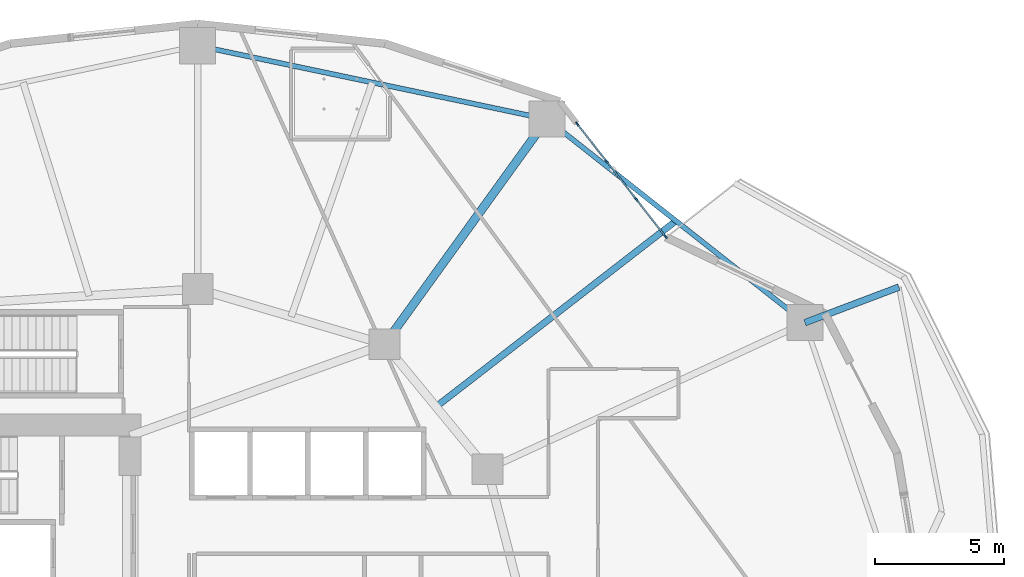
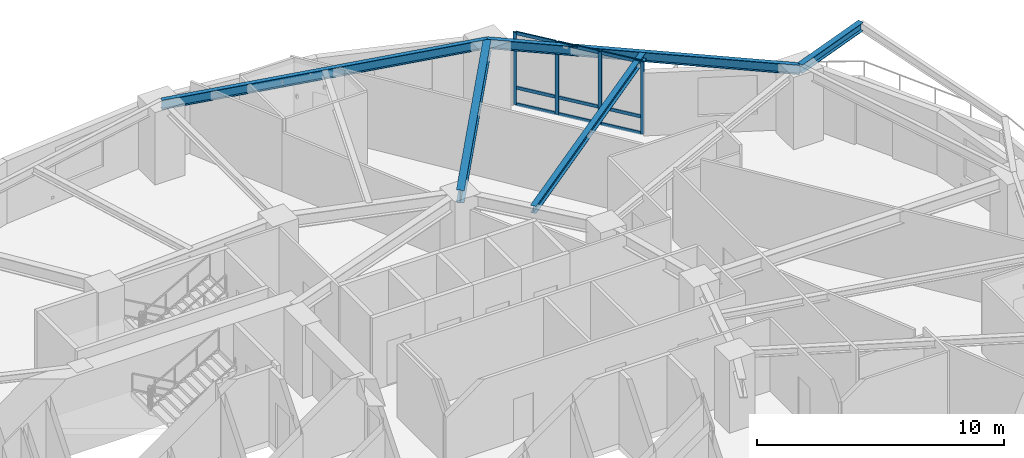
# One storey, part 3 of 18: 13 members, 5 beams, 1 element without a shape of its own.
"""IFC4 building model written with IfcOpenShell, lengths in metres."""

from ifc_helpers import new_model, si_unit, direction, frame, origin, origin_2d, place, context, subcontext, project, spatial, rectangle, i_section, extrude, material, layer, layer_set, material_profile, profile_set, type_object, element, aggregate, save


model = new_model("IFC4")

# Units and contexts
model_context = context("Model", 3, precision=1e-05, world=origin(), true_north=direction((0.0, 1.0)))
body_context = subcontext(model_context, "Body", "Model", "MODEL_VIEW")
ifc_project = project(units=[si_unit("LENGTHUNIT", "METRE"), si_unit("AREAUNIT", "SQUARE_METRE"), si_unit("VOLUMEUNIT", "CUBIC_METRE"), si_unit("PLANEANGLEUNIT", "RADIAN"), si_unit("MASSUNIT", "GRAM", prefix="KILO")], contexts=[model_context])

# Site, building, storey
site_placement = place(None, origin())
site = spatial("IfcSite", under=ifc_project, at=site_placement, CompositionType="ELEMENT")
building_placement = place(site_placement, origin())
building = spatial("IfcBuilding", under=site, at=building_placement, Name="Kolvaren Gate Tower and Convention Centre", CompositionType="ELEMENT")
storey_placement = place(building_placement, frame((0.0, 0.0, 30.35009765625)))
storey = spatial("IfcBuildingStorey", under=building, at=storey_placement, Name="L06", CompositionType="ELEMENT", Elevation=30.35009765625)

# Curtain wall, members
ifc_material_1 = material(Name="Anodized Architectural Aluminium Alloy 6063-T6", Category="aluminium")
ifc_layer = layer(ifc_material_1, 0.159912109375)
ifc_layer_set = layer_set([ifc_layer], Name="Anodized Architectural Aluminium Alloy 6063-T6")
curtain_wall_type = type_object("IfcCurtainWallType", Name="CW-OFF-UNIT", PredefinedType="NOTDEFINED", material=ifc_layer_set)
curtain_wall_placement = place(storey_placement, origin())
curtain_wall = element("IfcCurtainWall", 1, at=curtain_wall_placement, inside=storey, type_object=curtain_wall_type, Name="Tower L06 Unitised Curtain Wall CW-OFF-UNIT Bay 03", PredefinedType="NOTDEFINED")
ifc_material_profile_1 = material_profile(ifc_material_1, rectangle(XDim=0.06494140625, YDim=0.159912109375, at=origin_2d()), Name="CW-MEM-MUL-160")
ifc_profile_set_1 = profile_set([ifc_material_profile_1], Name="Anodized Architectural Aluminium Alloy 6063-T6")
member_type_1 = type_object("IfcMemberType", Name="CW-MEM-MUL-160", PredefinedType="MULLION", material=ifc_profile_set_1)
member_1_placement = place(storey_placement, frame((44.870849609375, 45.61279296875, 0.0), z_axis=(0.0, 0.0, 1.0), x_axis=(0.787413004527, 0.616425794643, 0.0)))
member_1 = element("IfcMember", 2, at=member_1_placement, type_object=member_type_1, Name="CW-02 mullion 1", PredefinedType="MULLION", context=body_context, shape_type="SweptSolid", body=[
    extrude(rectangle(XDim=0.06494140625, YDim=0.159912109375, at=origin_2d()), origin(), (0.0, 0.0, 1.0), 3.56982421875),
])
member_2_placement = place(storey_placement, frame((46.005615234375, 44.1630859375, 0.0), z_axis=(0.0, 0.0, 1.0), x_axis=(0.787413004527, 0.616425794643, 0.0)))
member_2 = element("IfcMember", 3, at=member_2_placement, type_object=member_type_1, Name="CW-02 mullion 2", PredefinedType="MULLION", context=body_context, shape_type="SweptSolid", body=[
    extrude(rectangle(XDim=0.06494140625, YDim=0.159912109375, at=origin_2d()), origin(), (0.0, 0.0, 1.0), 3.56982421875),
])
member_3_placement = place(storey_placement, frame((47.160400390625, 42.68798828125, 0.0), z_axis=(0.0, 0.0, 1.0), x_axis=(0.787413004527, 0.616425794643, 0.0)))
member_3 = element("IfcMember", 4, at=member_3_placement, type_object=member_type_1, Name="CW-02 mullion 3", PredefinedType="MULLION", context=body_context, shape_type="SweptSolid", body=[
    extrude(rectangle(XDim=0.06494140625, YDim=0.159912109375, at=origin_2d()), origin(), (0.0, 0.0, 1.0), 3.56982421875),
])
member_4_placement = place(storey_placement, frame((48.295166015625, 41.23828125, 0.0), z_axis=(0.0, 0.0, 1.0), x_axis=(0.787413004527, 0.616425794643, 0.0)))
member_4 = element("IfcMember", 5, at=member_4_placement, type_object=member_type_1, Name="CW-02 mullion 4", PredefinedType="MULLION", context=body_context, shape_type="SweptSolid", body=[
    extrude(rectangle(XDim=0.06494140625, YDim=0.159912109375, at=origin_2d()), origin(), (0.0, 0.0, 1.0), 3.56982421875),
])
ifc_material_profile_2 = material_profile(ifc_material_1, rectangle(XDim=0.06494140625, YDim=0.159912109375, at=origin_2d()), Name="CW-MEM-TRN-160")
ifc_profile_set_2 = profile_set([ifc_material_profile_2], Name="Anodized Architectural Aluminium Alloy 6063-T6")
member_type_2 = type_object("IfcMemberType", Name="CW-MEM-TRN-160", PredefinedType="USERDEFINED", material=ifc_profile_set_2)
member_5_placement = place(storey_placement, frame((44.890869140625, 45.587158203125, 0.032470703125), z_axis=(0.61641204316, -0.787423769674, 0.0), x_axis=(0.787423769674, 0.61641204316, 0.0)))
member_5 = element("IfcMember", 6, at=member_5_placement, type_object=member_type_2, Name="CW-02 transom 1.1", ObjectType="TRANSOM", PredefinedType="USERDEFINED", context=body_context, shape_type="SweptSolid", body=[
    extrude(rectangle(XDim=0.06494140625, YDim=0.159912109375, at=origin_2d()), origin(), (0.0, 0.0, 1.0), 1.77587890625),
])
member_6_placement = place(storey_placement, frame((44.890869140625, 45.587158203125, 0.849853515625), z_axis=(0.61641204316, -0.787423769674, 0.0), x_axis=(0.787423769674, 0.61641204316, 0.0)))
member_6 = element("IfcMember", 7, at=member_6_placement, type_object=member_type_2, Name="CW-02 transom 1.2", ObjectType="TRANSOM", PredefinedType="USERDEFINED", context=body_context, shape_type="SweptSolid", body=[
    extrude(rectangle(XDim=0.06494140625, YDim=0.159912109375, at=origin_2d()), origin(), (0.0, 0.0, 1.0), 1.77587890625),
])
member_7_placement = place(storey_placement, frame((44.890869140625, 45.587158203125, 3.537353515625), z_axis=(0.61641204316, -0.787423769674, 0.0), x_axis=(0.787423769674, 0.61641204316, 0.0)))
member_7 = element("IfcMember", 8, at=member_7_placement, type_object=member_type_2, Name="CW-02 transom 1.3", ObjectType="TRANSOM", PredefinedType="USERDEFINED", context=body_context, shape_type="SweptSolid", body=[
    extrude(rectangle(XDim=0.06494140625, YDim=0.159912109375, at=origin_2d()), origin(), (0.0, 0.0, 1.0), 1.77587890625),
])
member_8_placement = place(storey_placement, frame((46.025634765625, 44.137451171875, 0.032470703125), z_axis=(0.616461146667, -0.787385327937, 0.0), x_axis=(0.787385327937, 0.616461146667, 0.0)))
member_8 = element("IfcMember", 9, at=member_8_placement, type_object=member_type_2, Name="CW-02 transom 2.1", ObjectType="TRANSOM", PredefinedType="USERDEFINED", context=body_context, shape_type="SweptSolid", body=[
    extrude(rectangle(XDim=0.06494140625, YDim=0.159912109375, at=origin_2d()), origin(), (0.0, 0.0, 1.0), 1.808349609375),
])
member_9_placement = place(storey_placement, frame((46.025634765625, 44.137451171875, 0.849853515625), z_axis=(0.616461146667, -0.787385327937, 0.0), x_axis=(0.787385327937, 0.616461146667, 0.0)))
member_9 = element("IfcMember", 10, at=member_9_placement, type_object=member_type_2, Name="CW-02 transom 2.2", ObjectType="TRANSOM", PredefinedType="USERDEFINED", context=body_context, shape_type="SweptSolid", body=[
    extrude(rectangle(XDim=0.06494140625, YDim=0.159912109375, at=origin_2d()), origin(), (0.0, 0.0, 1.0), 1.808349609375),
])
member_10_placement = place(storey_placement, frame((46.025634765625, 44.137451171875, 3.537353515625), z_axis=(0.616461146667, -0.787385327937, 0.0), x_axis=(0.787385327937, 0.616461146667, 0.0)))
member_10 = element("IfcMember", 11, at=member_10_placement, type_object=member_type_2, Name="CW-02 transom 2.3", ObjectType="TRANSOM", PredefinedType="USERDEFINED", context=body_context, shape_type="SweptSolid", body=[
    extrude(rectangle(XDim=0.06494140625, YDim=0.159912109375, at=origin_2d()), origin(), (0.0, 0.0, 1.0), 1.808349609375),
])
member_11_placement = place(storey_placement, frame((47.180419921875, 42.662353515625, 0.032470703125), z_axis=(0.61641204316, -0.787423769674, 0.0), x_axis=(0.787423769674, 0.61641204316, 0.0)))
member_11 = element("IfcMember", 12, at=member_11_placement, type_object=member_type_2, Name="CW-02 transom 3.1", ObjectType="TRANSOM", PredefinedType="USERDEFINED", context=body_context, shape_type="SweptSolid", body=[
    extrude(rectangle(XDim=0.06494140625, YDim=0.159912109375, at=origin_2d()), origin(), (0.0, 0.0, 1.0), 1.77587890625),
])
member_12_placement = place(storey_placement, frame((47.180419921875, 42.662353515625, 0.849853515625), z_axis=(0.61641204316, -0.787423769674, 0.0), x_axis=(0.787423769674, 0.61641204316, 0.0)))
member_12 = element("IfcMember", 13, at=member_12_placement, type_object=member_type_2, Name="CW-02 transom 3.2", ObjectType="TRANSOM", PredefinedType="USERDEFINED", context=body_context, shape_type="SweptSolid", body=[
    extrude(rectangle(XDim=0.06494140625, YDim=0.159912109375, at=origin_2d()), origin(), (0.0, 0.0, 1.0), 1.77587890625),
])
member_13_placement = place(storey_placement, frame((47.180419921875, 42.662353515625, 3.537353515625), z_axis=(0.61641204316, -0.787423769674, 0.0), x_axis=(0.787423769674, 0.61641204316, 0.0)))
member_13 = element("IfcMember", 14, at=member_13_placement, type_object=member_type_2, Name="CW-02 transom 3.3", ObjectType="TRANSOM", PredefinedType="USERDEFINED", context=body_context, shape_type="SweptSolid", body=[
    extrude(rectangle(XDim=0.06494140625, YDim=0.159912109375, at=origin_2d()), origin(), (0.0, 0.0, 1.0), 1.77587890625),
])
aggregate(curtain_wall, [member_1, member_2, member_3, member_4, member_5, member_6, member_7, member_8, member_9, member_10, member_11, member_12, member_13])

# Beams
ifc_material_2 = material(Name="Structural steel ASTM A992 Grade 345 MPa", Category="steel")
ifc_material_profile_3 = material_profile(ifc_material_2, i_section(OverallWidth=0.260009765625, OverallDepth=0.419921875, WebThickness=0.013427734375, FlangeThickness=0.0224609375, at=origin_2d()), Name="W410X132")
ifc_profile_set_3 = profile_set([ifc_material_profile_3], Name="Structural steel ASTM A992 Grade 345 MPa")
beam_type_1 = type_object("IfcBeamType", Name="STR-BM-W410X132", PredefinedType="BEAM", material=ifc_profile_set_3)
beam_1_placement = place(storey_placement, frame((53.710205078125, 37.8935546875, 3.3603515625), z_axis=(0.935293537157, 0.35387285761, 0.0), x_axis=(-0.35387285761, 0.935293537157, 0.0)))
element("IfcBeam", 15, at=beam_1_placement, inside=storey, type_object=beam_type_1, Name="Tower L07 Planted Balcony Outrigger Cantilever BC-1B", PredefinedType="BEAM", context=body_context, shape_type="SweptSolid", body=[
    extrude(i_section(OverallWidth=0.260009765625, OverallDepth=0.419921875, WebThickness=0.013427734375, FlangeThickness=0.0224609375, at=origin_2d()), origin(), (0.0, 0.0, 1.0), 3.900146484375),
])
ifc_material_profile_4 = material_profile(ifc_material_2, i_section(OverallWidth=0.327880859375, OverallDepth=0.6279296875, WebThickness=0.0166015625, FlangeThickness=0.027587890625, at=origin_2d()), Name="W610X217")
ifc_profile_set_4 = profile_set([ifc_material_profile_4], Name="Structural steel ASTM A992 Grade 345 MPa")
beam_type_2 = type_object("IfcBeamType", Name="STR-BM-W610X217", PredefinedType="BEAM", material=ifc_profile_set_4)
beam_2_placement = place(storey_placement, frame((37.381591796875, 37.054931640625, 3.255859375), z_axis=(0.585205244783, 0.81088520857, 0.0), x_axis=(-0.81088520857, 0.585205244783, 0.0)))
element("IfcBeam", 16, at=beam_2_placement, inside=storey, type_object=beam_type_2, Name="Tower L06 Radial Floor Girder RB-03", PredefinedType="BEAM", context=body_context, shape_type="SweptSolid", body=[
    extrude(i_section(OverallWidth=0.327880859375, OverallDepth=0.6279296875, WebThickness=0.0166015625, FlangeThickness=0.027587890625, at=origin_2d()), origin(), (0.0, 0.0, 1.0), 10.780029296875),
])
ifc_material_profile_5 = material_profile(ifc_material_2, i_section(OverallWidth=0.2548828125, OverallDepth=0.35693359375, WebThickness=0.010498046875, FlangeThickness=0.018310546875, at=origin_2d()), Name="W360X101")
ifc_profile_set_5 = profile_set([ifc_material_profile_5], Name="Structural steel ASTM A992 Grade 345 MPa")
beam_type_3 = type_object("IfcBeamType", Name="STR-JS-W360X101", PredefinedType="JOIST", material=ifc_profile_set_5)
beam_3_placement = place(storey_placement, frame((39.3818359375, 34.627197265625, 3.391357421875), z_axis=(0.790577493994, 0.612362005671, 0.0), x_axis=(-0.612362005671, 0.790577493994, 0.0)))
element("IfcBeam", 17, at=beam_3_placement, inside=storey, type_object=beam_type_3, Name="Tower L06 Secondary Composite Floor Joist J-02.1", PredefinedType="JOIST", context=body_context, shape_type="SweptSolid", body=[
    extrude(i_section(OverallWidth=0.2548828125, OverallDepth=0.35693359375, WebThickness=0.010498046875, FlangeThickness=0.018310546875, at=origin_2d()), origin(), (0.0, 0.0, 1.0), 11.786865234375),
])
ifc_material_profile_6 = material_profile(ifc_material_2, i_section(OverallWidth=0.194091796875, OverallDepth=0.468994140625, WebThickness=0.0126953125, FlangeThickness=0.0205078125, at=origin_2d()), Name="W460X106")
ifc_profile_set_6 = profile_set([ifc_material_profile_6], Name="Structural steel ASTM A992 Grade 345 MPa")
beam_type_4 = type_object("IfcBeamType", Name="STR-SP-W460X106", PredefinedType="SPANDREL", material=ifc_profile_set_6)
beam_4_placement = place(storey_placement, frame((53.710205078125, 37.8935546875, 3.33544921875), z_axis=(-0.785176498861, 0.619272044933, 0.0), x_axis=(-0.619272044933, -0.785176498861, 0.0)))
element("IfcBeam", 18, at=beam_4_placement, inside=storey, type_object=beam_type_4, Name="Tower L06 Perimeter Spandrel Beam SP-02", PredefinedType="SPANDREL", context=body_context, shape_type="SweptSolid", body=[
    extrude(i_section(OverallWidth=0.194091796875, OverallDepth=0.468994140625, WebThickness=0.0126953125, FlangeThickness=0.0205078125, at=origin_2d()), origin(), (0.0, 0.0, 1.0), 12.761474609375),
])
beam_5_placement = place(storey_placement, frame((43.690185546875, 45.79638671875, 3.33544921875), z_axis=(-0.978583407863, 0.205850707685, 0.0), x_axis=(-0.205850707685, -0.978583407863, 0.0)))
element("IfcBeam", 19, at=beam_5_placement, inside=storey, type_object=beam_type_4, Name="Tower L06 Perimeter Spandrel Beam SP-03", PredefinedType="SPANDREL", context=body_context, shape_type="SweptSolid", body=[
    extrude(i_section(OverallWidth=0.194091796875, OverallDepth=0.468994140625, WebThickness=0.0126953125, FlangeThickness=0.0205078125, at=origin_2d()), origin(), (0.0, 0.0, 1.0), 13.862060546875),
])

save(model, "model.ifc")
